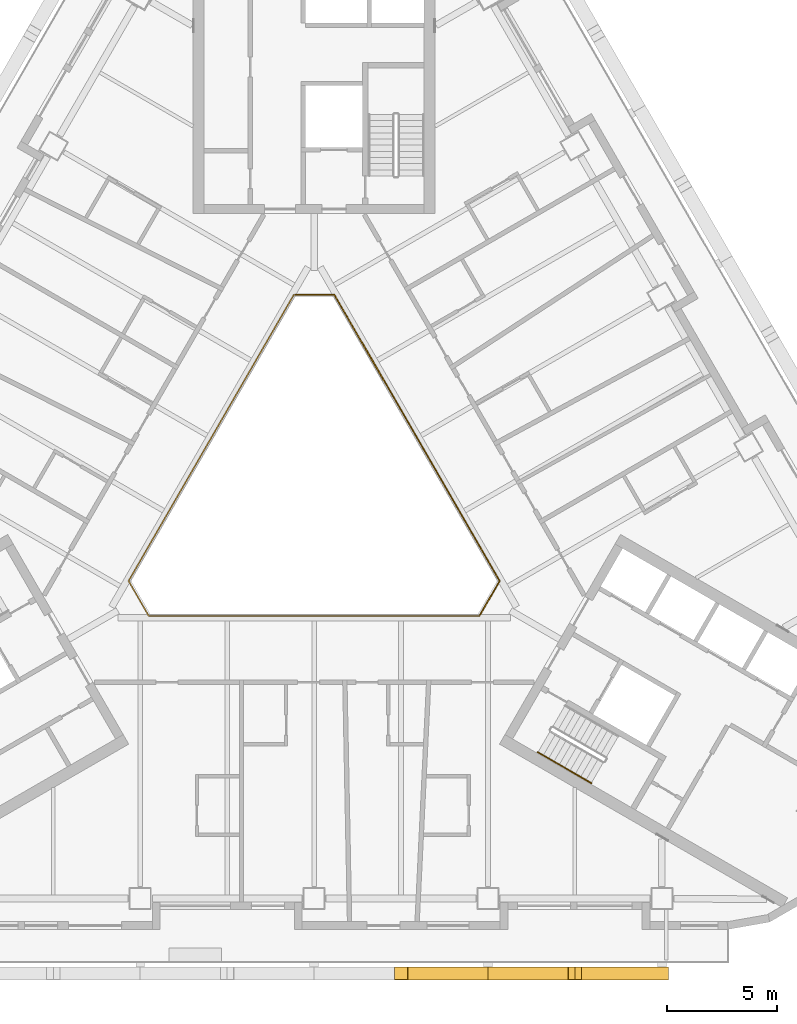
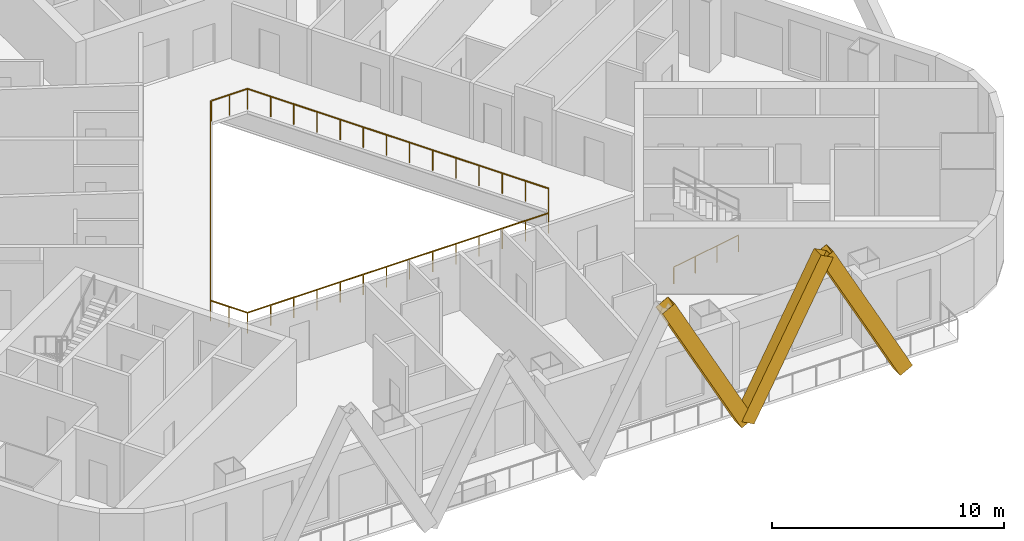
# One storey, part 14 of 17: 3 railings, 3 shading devices.
"""IFC4 building model written with IfcOpenShell, lengths in metres."""

from ifc_helpers import new_model, si_unit, direction, frame, origin, origin_2d, place, context, subcontext, project, spatial, rectangle, hollow_rectangle, circle, extrude, material, material_profile, profile_set, type_object, element, save


model = new_model("IFC4")

# Units and contexts
model_context = context("Model", 3, precision=1e-05, world=origin(), true_north=direction((0.0, 1.0)))
body_context = subcontext(model_context, "Body", "Model", "MODEL_VIEW")
ifc_project = project(units=[si_unit("LENGTHUNIT", "METRE"), si_unit("AREAUNIT", "SQUARE_METRE"), si_unit("VOLUMEUNIT", "CUBIC_METRE"), si_unit("PLANEANGLEUNIT", "RADIAN"), si_unit("MASSUNIT", "GRAM", prefix="KILO")], contexts=[model_context])

# Site, building, storey
site_placement = place(None, origin())
site = spatial("IfcSite", under=ifc_project, at=site_placement, CompositionType="ELEMENT")
building_placement = place(site_placement, origin())
building = spatial("IfcBuilding", under=site, at=building_placement, Name="Apuvela Tower Hotel", CompositionType="ELEMENT")
storey_placement = place(building_placement, frame((0.0, 0.0, 46.5)))
storey = spatial("IfcBuildingStorey", under=building, at=storey_placement, Name="L08", CompositionType="ELEMENT", Elevation=46.5)

# Railing
ifc_material_1 = material(Name="Stainless steel 316 handrail", Category="steel")
railing_type_1 = type_object("IfcRailingType", Name="COR-HANDRAIL-900", PredefinedType="HANDRAIL", material=ifc_material_1)
railing_1_placement = place(storey_placement, frame((10.1689453125, -11.5869140625, 0.168212890625)))
element("IfcRailing", 1, at=railing_1_placement, inside=storey, type_object=railing_type_1, Name="L08 ST3 stair handrail 1", PredefinedType="HANDRAIL", context=body_context, shape_type="SweptSolid", body=[
    extrude(circle(Radius=0.02392578125, at=origin_2d()), frame((0.0, 0.0, 0.8759765625), z_axis=(0.742390482028, -0.42860119049, 0.514934356695), x_axis=(0.49998411664, 0.866034573852, 0.0)), (0.0, 0.0, 1.0), 3.26611328125),
    extrude(rectangle(XDim=0.0419921875, YDim=0.0419921875, at=origin_2d()), origin(), (0.0, 0.0, 1.0), 0.851806640625),
    extrude(rectangle(XDim=0.0419921875, YDim=0.0419921875, at=origin_2d()), frame((0.808349609375, -0.466552734375, 0.560546875)), (0.0, 0.0, 1.0), 0.851806640625),
    extrude(rectangle(XDim=0.0419921875, YDim=0.0419921875, at=origin_2d()), frame((1.616455078125, -0.933349609375, 1.121337890625)), (0.0, 0.0, 1.0), 0.851806640625),
    extrude(rectangle(XDim=0.0419921875, YDim=0.0419921875, at=origin_2d()), frame((2.4248046875, -1.39990234375, 1.681884765625)), (0.0, 0.0, 1.0), 0.851806640625),
])

# Shading devices
ifc_material_2 = material(Name="Aluminium 6063-T6, black anodised", Category="aluminium")
ifc_material_profile = material_profile(ifc_material_2, hollow_rectangle(XDim=0.60009765625, YDim=0.699951171875, WallThickness=0.011962890625, at=origin_2d()), Name="AL BOX 700x600x12")
ifc_profile_set = profile_set([ifc_material_profile], Name="Aluminium 6063-T6, black anodised")
shading_device_type = type_object("IfcShadingDeviceType", Name="ENV-FIN-700x600", PredefinedType="USERDEFINED", material=ifc_profile_set)
for number, where, z_axis, x_axis, name in (
    (2, (7.89990234375, -21.6298828125, -0.10009765625), (-0.470885802113, 0.0, 0.882194174413), (0.0, -1.0, 0.0), "Lattice fin S6"),
    (3, (7.89990234375, -21.6298828125, -0.10009765625), (0.470908452903, 0.0, 0.882182083804), (0.0, 1.0, 0.0), "Lattice fin S7"),
    (4, (15.800048828125, -21.6298828125, -0.10009765625), (-0.470885802113, 0.0, 0.882194174413), (0.0, -1.0, 0.0), "Lattice fin S8"),
):
    element("IfcShadingDevice", number, at=place(storey_placement, frame(where, z_axis=z_axis, x_axis=x_axis)), inside=storey, type_object=shading_device_type, Name=name, ObjectType="FIN", PredefinedType="USERDEFINED", context=body_context, shape_type="SweptSolid", body=[
        extrude(hollow_rectangle(XDim=0.60009765625, YDim=0.699951171875, WallThickness=0.011962890625, at=origin_2d()), origin(), (0.0, 0.0, 1.0), 8.388427734375),
    ])

# Railings
ifc_material_3 = material(Name="Stainless steel 316 rail with laminated glass infill", Category="steel")
railing_type_2 = type_object("IfcRailingType", Name="ENV-GUARD-1100", PredefinedType="GUARDRAIL", material=ifc_material_3)
railing_2_placement = place(storey_placement, frame((-0.923828125, 9.199951171875, 0.0)))
element("IfcRailing", 5, at=railing_2_placement, inside=storey, type_object=railing_type_2, Name="Atrium void guard A L08", PredefinedType="GUARDRAIL", context=body_context, shape_type="SweptSolid", body=[
    extrude(rectangle(XDim=0.050048828125, YDim=0.050048828125, at=origin_2d()), frame((0.0, 0.0, 1.0751953125), z_axis=(-0.499990886379, -0.866030665472, 0.0), x_axis=(0.866030665472, -0.499990886379, 0.0)), (0.0, 0.0, 1.0), 15.010986328125),
    extrude(rectangle(XDim=0.050048828125, YDim=0.050048828125, at=origin_2d()), frame((-7.50537109375, -13.0, 1.0751953125), z_axis=(0.499962699187, -0.866046938348, 0.0), x_axis=(0.866046938348, 0.499962699187, 0.0)), (0.0, 0.0, 1.0), 1.847412109375),
    extrude(rectangle(XDim=0.050048828125, YDim=0.050048828125, at=origin_2d()), frame((-6.581787109375, -14.599853515625, 1.0751953125), z_axis=(1.0, 0.0, 0.0), x_axis=(0.0, 1.0, 0.0)), (0.0, 0.0, 1.0), 15.01123046875),
    extrude(rectangle(XDim=0.0400390625, YDim=0.0400390625, at=origin_2d()), origin(), (0.0, 0.0, 1.0), 1.050048828125),
    extrude(rectangle(XDim=0.0400390625, YDim=0.0400390625, at=origin_2d()), frame((-0.577392578125, -1.0, 0.0)), (0.0, 0.0, 1.0), 1.050048828125),
    extrude(rectangle(XDim=0.0400390625, YDim=0.0400390625, at=origin_2d()), frame((-1.15478515625, -2.0, 0.0)), (0.0, 0.0, 1.0), 1.050048828125),
    extrude(rectangle(XDim=0.0400390625, YDim=0.0400390625, at=origin_2d()), frame((-1.73193359375, -3.0, 0.0)), (0.0, 0.0, 1.0), 1.050048828125),
    extrude(rectangle(XDim=0.0400390625, YDim=0.0400390625, at=origin_2d()), frame((-2.309326171875, -4.0, 0.0)), (0.0, 0.0, 1.0), 1.050048828125),
    extrude(rectangle(XDim=0.0400390625, YDim=0.0400390625, at=origin_2d()), frame((-2.88671875, -5.0, 0.0)), (0.0, 0.0, 1.0), 1.050048828125),
    extrude(rectangle(XDim=0.0400390625, YDim=0.0400390625, at=origin_2d()), frame((-3.464111328125, -6.0, 0.0)), (0.0, 0.0, 1.0), 1.050048828125),
    extrude(rectangle(XDim=0.0400390625, YDim=0.0400390625, at=origin_2d()), frame((-4.041259765625, -7.0, 0.0)), (0.0, 0.0, 1.0), 1.050048828125),
    extrude(rectangle(XDim=0.0400390625, YDim=0.0400390625, at=origin_2d()), frame((-4.61865234375, -8.0, 0.0)), (0.0, 0.0, 1.0), 1.050048828125),
    extrude(rectangle(XDim=0.0400390625, YDim=0.0400390625, at=origin_2d()), frame((-5.196044921875, -9.0, 0.0)), (0.0, 0.0, 1.0), 1.050048828125),
    extrude(rectangle(XDim=0.0400390625, YDim=0.0400390625, at=origin_2d()), frame((-5.7734375, -10.0, 0.0)), (0.0, 0.0, 1.0), 1.050048828125),
    extrude(rectangle(XDim=0.0400390625, YDim=0.0400390625, at=origin_2d()), frame((-6.3505859375, -11.0, 0.0)), (0.0, 0.0, 1.0), 1.050048828125),
    extrude(rectangle(XDim=0.0400390625, YDim=0.0400390625, at=origin_2d()), frame((-6.927978515625, -12.0, 0.0)), (0.0, 0.0, 1.0), 1.050048828125),
    extrude(rectangle(XDim=0.0400390625, YDim=0.0400390625, at=origin_2d()), frame((-7.50537109375, -13.0, 0.0)), (0.0, 0.0, 1.0), 1.050048828125),
    extrude(rectangle(XDim=0.0400390625, YDim=0.0400390625, at=origin_2d()), frame((-7.04345703125, -13.7998046875, 0.0)), (0.0, 0.0, 1.0), 1.050048828125),
    extrude(rectangle(XDim=0.0400390625, YDim=0.0400390625, at=origin_2d()), frame((-6.581787109375, -14.599853515625, 0.0)), (0.0, 0.0, 1.0), 1.050048828125),
    extrude(rectangle(XDim=0.0400390625, YDim=0.0400390625, at=origin_2d()), frame((-5.427001953125, -14.599853515625, 0.0)), (0.0, 0.0, 1.0), 1.050048828125),
    extrude(rectangle(XDim=0.0400390625, YDim=0.0400390625, at=origin_2d()), frame((-4.2724609375, -14.599853515625, 0.0)), (0.0, 0.0, 1.0), 1.050048828125),
    extrude(rectangle(XDim=0.0400390625, YDim=0.0400390625, at=origin_2d()), frame((-3.11767578125, -14.599853515625, 0.0)), (0.0, 0.0, 1.0), 1.050048828125),
    extrude(rectangle(XDim=0.0400390625, YDim=0.0400390625, at=origin_2d()), frame((-1.962890625, -14.599853515625, 0.0)), (0.0, 0.0, 1.0), 1.050048828125),
    extrude(rectangle(XDim=0.0400390625, YDim=0.0400390625, at=origin_2d()), frame((-0.808349609375, -14.599853515625, 0.0)), (0.0, 0.0, 1.0), 1.050048828125),
    extrude(rectangle(XDim=0.0400390625, YDim=0.0400390625, at=origin_2d()), frame((0.346435546875, -14.599853515625, 0.0)), (0.0, 0.0, 1.0), 1.050048828125),
    extrude(rectangle(XDim=0.0400390625, YDim=0.0400390625, at=origin_2d()), frame((1.501220703125, -14.599853515625, 0.0)), (0.0, 0.0, 1.0), 1.050048828125),
    extrude(rectangle(XDim=0.0400390625, YDim=0.0400390625, at=origin_2d()), frame((2.656005859375, -14.599853515625, 0.0)), (0.0, 0.0, 1.0), 1.050048828125),
    extrude(rectangle(XDim=0.0400390625, YDim=0.0400390625, at=origin_2d()), frame((3.810546875, -14.599853515625, 0.0)), (0.0, 0.0, 1.0), 1.050048828125),
    extrude(rectangle(XDim=0.0400390625, YDim=0.0400390625, at=origin_2d()), frame((4.96533203125, -14.599853515625, 0.0)), (0.0, 0.0, 1.0), 1.050048828125),
    extrude(rectangle(XDim=0.0400390625, YDim=0.0400390625, at=origin_2d()), frame((6.1201171875, -14.599853515625, 0.0)), (0.0, 0.0, 1.0), 1.050048828125),
    extrude(rectangle(XDim=0.0400390625, YDim=0.0400390625, at=origin_2d()), frame((7.274658203125, -14.599853515625, 0.0)), (0.0, 0.0, 1.0), 1.050048828125),
    extrude(rectangle(XDim=0.0400390625, YDim=0.0400390625, at=origin_2d()), frame((8.429443359375, -14.599853515625, 0.0)), (0.0, 0.0, 1.0), 1.050048828125),
])
railing_3_placement = place(storey_placement, frame((7.53564453125, -5.347900390625, 0.0)))
element("IfcRailing", 6, at=railing_3_placement, inside=storey, type_object=railing_type_2, Name="Atrium void guard B L08", PredefinedType="GUARDRAIL", context=body_context, shape_type="SweptSolid", body=[
    extrude(rectangle(XDim=0.050048828125, YDim=0.050048828125, at=origin_2d()), frame((0.0, 0.0, 1.0751953125), z_axis=(0.499958946799, 0.866049104564, 0.0), x_axis=(-0.866049104564, 0.499958946799, 0.0)), (0.0, 0.0, 1.0), 1.787353515625),
    extrude(rectangle(XDim=0.050048828125, YDim=0.050048828125, at=origin_2d()), frame((0.8935546875, 1.5478515625, 1.0751953125), z_axis=(-0.499990886379, 0.866030665472, 0.0), x_axis=(-0.866030665472, -0.499990886379, 0.0)), (0.0, 0.0, 1.0), 15.010986328125),
    extrude(rectangle(XDim=0.050048828125, YDim=0.050048828125, at=origin_2d()), frame((-6.61181640625, 14.5478515625, 1.0751953125), z_axis=(-1.0, 0.0, 0.0), x_axis=(0.0, -1.0, 0.0)), (0.0, 0.0, 1.0), 1.78759765625),
    extrude(rectangle(XDim=0.0400390625, YDim=0.0400390625, at=origin_2d()), origin(), (0.0, 0.0, 1.0), 1.050048828125),
    extrude(rectangle(XDim=0.0400390625, YDim=0.0400390625, at=origin_2d()), frame((0.44677734375, 0.77392578125, 0.0)), (0.0, 0.0, 1.0), 1.050048828125),
    extrude(rectangle(XDim=0.0400390625, YDim=0.0400390625, at=origin_2d()), frame((0.8935546875, 1.5478515625, 0.0)), (0.0, 0.0, 1.0), 1.050048828125),
    extrude(rectangle(XDim=0.0400390625, YDim=0.0400390625, at=origin_2d()), frame((0.316162109375, 2.5478515625, 0.0)), (0.0, 0.0, 1.0), 1.050048828125),
    extrude(rectangle(XDim=0.0400390625, YDim=0.0400390625, at=origin_2d()), frame((-0.26123046875, 3.5478515625, 0.0)), (0.0, 0.0, 1.0), 1.050048828125),
    extrude(rectangle(XDim=0.0400390625, YDim=0.0400390625, at=origin_2d()), frame((-0.83837890625, 4.5478515625, 0.0)), (0.0, 0.0, 1.0), 1.050048828125),
    extrude(rectangle(XDim=0.0400390625, YDim=0.0400390625, at=origin_2d()), frame((-1.415771484375, 5.5478515625, 0.0)), (0.0, 0.0, 1.0), 1.050048828125),
    extrude(rectangle(XDim=0.0400390625, YDim=0.0400390625, at=origin_2d()), frame((-1.9931640625, 6.5478515625, 0.0)), (0.0, 0.0, 1.0), 1.050048828125),
    extrude(rectangle(XDim=0.0400390625, YDim=0.0400390625, at=origin_2d()), frame((-2.570556640625, 7.5478515625, 0.0)), (0.0, 0.0, 1.0), 1.050048828125),
    extrude(rectangle(XDim=0.0400390625, YDim=0.0400390625, at=origin_2d()), frame((-3.147705078125, 8.5478515625, 0.0)), (0.0, 0.0, 1.0), 1.050048828125),
    extrude(rectangle(XDim=0.0400390625, YDim=0.0400390625, at=origin_2d()), frame((-3.72509765625, 9.5478515625, 0.0)), (0.0, 0.0, 1.0), 1.050048828125),
    extrude(rectangle(XDim=0.0400390625, YDim=0.0400390625, at=origin_2d()), frame((-4.302490234375, 10.5478515625, 0.0)), (0.0, 0.0, 1.0), 1.050048828125),
    extrude(rectangle(XDim=0.0400390625, YDim=0.0400390625, at=origin_2d()), frame((-4.8798828125, 11.5478515625, 0.0)), (0.0, 0.0, 1.0), 1.050048828125),
    extrude(rectangle(XDim=0.0400390625, YDim=0.0400390625, at=origin_2d()), frame((-5.45703125, 12.5478515625, 0.0)), (0.0, 0.0, 1.0), 1.050048828125),
    extrude(rectangle(XDim=0.0400390625, YDim=0.0400390625, at=origin_2d()), frame((-6.034423828125, 13.5478515625, 0.0)), (0.0, 0.0, 1.0), 1.050048828125),
    extrude(rectangle(XDim=0.0400390625, YDim=0.0400390625, at=origin_2d()), frame((-6.61181640625, 14.5478515625, 0.0)), (0.0, 0.0, 1.0), 1.050048828125),
    extrude(rectangle(XDim=0.0400390625, YDim=0.0400390625, at=origin_2d()), frame((-7.505615234375, 14.5478515625, 0.0)), (0.0, 0.0, 1.0), 1.050048828125),
    extrude(rectangle(XDim=0.0400390625, YDim=0.0400390625, at=origin_2d()), frame((-8.3994140625, 14.5478515625, 0.0)), (0.0, 0.0, 1.0), 1.050048828125),
])

save(model, "model.ifc")
